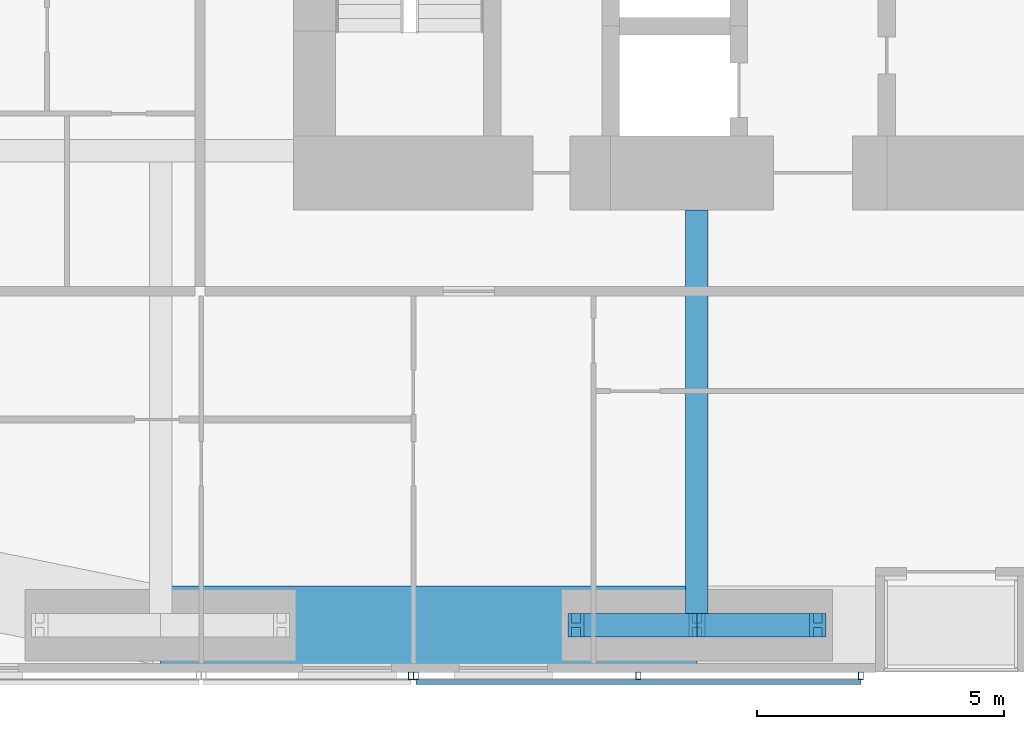
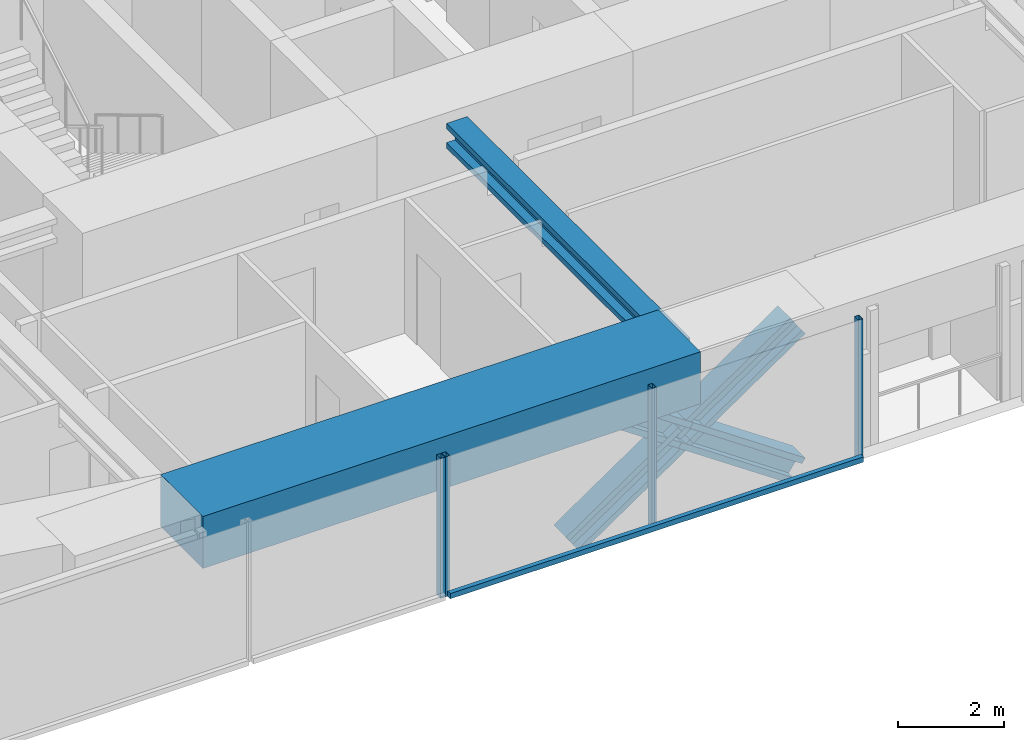
# One storey, part 4 of 24: 9 members, 2 beams, 2 elements without a shape of their own.
"""IFC4 building model written with IfcOpenShell, lengths in metres."""

from ifc_helpers import new_model, si_unit, direction, frame, origin, origin_2d, place, context, subcontext, project, spatial, rectangle, hollow_rectangle, i_section, extrude, material, material_profile, profile_set, type_object, element, aggregate, save


model = new_model("IFC4")

# Units and contexts
model_context = context("Model", 3, precision=1e-05, world=origin(), true_north=direction((0.0, 1.0)))
body_context = subcontext(model_context, "Body", "Model", "MODEL_VIEW")
ifc_project = project(units=[si_unit("LENGTHUNIT", "METRE"), si_unit("AREAUNIT", "SQUARE_METRE"), si_unit("VOLUMEUNIT", "CUBIC_METRE"), si_unit("PLANEANGLEUNIT", "RADIAN"), si_unit("MASSUNIT", "GRAM", prefix="KILO")], contexts=[model_context])

# Site, building, storey
site_placement = place(None, origin())
site = spatial("IfcSite", under=ifc_project, at=site_placement, CompositionType="ELEMENT")
building_placement = place(site_placement, origin())
building = spatial("IfcBuilding", under=site, at=building_placement, Name="Jalousie Tower", CompositionType="ELEMENT")
storey_placement = place(building_placement, frame((0.0, 0.0, 135.0)))
storey = spatial("IfcBuildingStorey", under=building, at=storey_placement, Name="L37", CompositionType="ELEMENT", Elevation=135.0)

# Beam
ifc_material_1 = material(Name="Steel ASTM A992 Grade 50", Category="steel")
ifc_material_profile_1 = material_profile(ifc_material_1, i_section(OverallWidth=0.45458984375, OverallDepth=0.569091796875, WebThickness=0.077880859375, FlangeThickness=0.124755859375, at=origin_2d()), Name="W14X730")
ifc_profile_set_1 = profile_set([ifc_material_profile_1], Name="Steel ASTM A992 Grade 50")
beam_type_1 = type_object("IfcBeamType", Name="LEAN COLLECTOR W14X730", PredefinedType="BEAM", material=ifc_profile_set_1)
beam_1_placement = place(storey_placement, frame((27.75, 0.949951171875, 2.825439453125), z_axis=(0.0, 1.0, 0.0), x_axis=(-1.0, 0.0, 0.0)))
element("IfcBeam", 1, at=beam_1_placement, inside=storey, type_object=beam_type_1, Name="Lean collector under L38", PredefinedType="BEAM", context=body_context, shape_type="SweptSolid", body=[
    extrude(i_section(OverallWidth=0.45458984375, OverallDepth=0.569091796875, WebThickness=0.077880859375, FlangeThickness=0.124755859375, at=origin_2d()), origin(), (0.0, 0.0, 1.0), 8.425048828125),
])

# Members
ifc_material_2 = material(Name="Steel ASTM A992 Grade 50", Category="steel")
ifc_material_profile_2 = material_profile(ifc_material_2, i_section(OverallWidth=0.472412109375, OverallDepth=0.5791015625, WebThickness=0.094970703125, FlangeThickness=0.1298828125, at=origin_2d()), Name="W14X808")
ifc_profile_set_2 = profile_set([ifc_material_profile_2], Name="Steel ASTM A992 Grade 50")
member_type_1 = type_object("IfcMemberType", Name="PERIMETER BRACE W14X808", PredefinedType="BRACE", material=ifc_profile_set_2)
for number, where, z_axis, x_axis, name in (
    (2, (25.300048828125, 0.949951171875, -0.60009765625), (0.825500916831, 0.0, 0.564400776321), (0.0, 1.0, 0.0), "Perimeter brace 03 L37 part 1"),
    (3, (27.75, 0.949951171875, 1.074951171875), (0.825500916831, 0.0, 0.564400776321), (0.0, 1.0, 0.0), "Perimeter brace 03 L37 part 2"),
    (4, (30.199951171875, 0.949951171875, -0.60009765625), (-0.825500916831, 0.0, 0.564400776321), (0.0, -1.0, 0.0), "Perimeter brace 03 L37 part 3"),
    (5, (27.75, 0.949951171875, 1.074951171875), (-0.825500916831, 0.0, 0.564400776321), (0.0, -1.0, 0.0), "Perimeter brace 03 L37 part 4"),
):
    element("IfcMember", number, at=place(storey_placement, frame(where, z_axis=z_axis, x_axis=x_axis)), inside=storey, type_object=member_type_1, Name=name, PredefinedType="BRACE", context=body_context, shape_type="SweptSolid", body=[
        extrude(i_section(OverallWidth=0.472412109375, OverallDepth=0.5791015625, WebThickness=0.094970703125, FlangeThickness=0.1298828125, at=origin_2d()), origin(), (0.0, 0.0, 1.0), 2.9677734375),
    ])

# Beam
ifc_material_3 = material(Name="Concrete f'c 40 MPa", Category="concrete")
ifc_material_profile_3 = material_profile(ifc_material_3, rectangle(XDim=1.60009765625, YDim=1.199951171875, at=origin_2d()), Name="RC 1600x1200")
ifc_profile_set_3 = profile_set([ifc_material_profile_3], Name="Concrete f'c 40 MPa")
beam_type_2 = type_object("IfcBeamType", Name="RC BEAM 1600x1200", PredefinedType="BEAM", material=ifc_profile_set_3)
beam_2_placement = place(storey_placement, frame((16.875, 0.949951171875, 2.75), z_axis=(1.0, 0.0, 0.0), x_axis=(0.0, 1.0, 0.0)))
element("IfcBeam", 6, at=beam_2_placement, inside=storey, type_object=beam_type_2, Name="Edge band beam 02-03 under L38", PredefinedType="BEAM", context=body_context, shape_type="SweptSolid", body=[
    extrude(rectangle(XDim=1.60009765625, YDim=1.199951171875, at=origin_2d()), origin(), (0.0, 0.0, 1.0), 10.875),
])

# Curtain wall, member
ifc_material_4 = material(Name="Perforated aluminium sheet", Category="aluminium")
curtain_wall_type = type_object("IfcCurtainWallType", Name="SOLAR SCREEN SS-1", PredefinedType="USERDEFINED", material=ifc_material_4)
curtain_wall_1_placement = place(storey_placement, origin())
curtain_wall_1 = element("IfcCurtainWall", 7, at=curtain_wall_1_placement, inside=storey, type_object=curtain_wall_type, Name="Solar screen L37", ObjectType="SOLAR SCREEN SS-1", PredefinedType="USERDEFINED")
ifc_material_5 = material(Name="Steel ASTM A500 Grade C", Category="steel")
ifc_material_profile_4 = material_profile(ifc_material_5, hollow_rectangle(XDim=0.1015625, YDim=0.15234375, WallThickness=0.00634765625, at=origin_2d()), Name="HSS6X4X1/4")
ifc_profile_set_4 = profile_set([ifc_material_profile_4], Name="Steel ASTM A500 Grade C")
member_type_2 = type_object("IfcMemberType", Name="SOLAR SCREEN SS-1 MULLION", PredefinedType="MULLION", material=ifc_profile_set_4)
member_1_placement = place(storey_placement, frame((21.949951171875, -0.0712890625, -0.1201171875), z_axis=(0.0, 0.0, 1.0), x_axis=(1.0, 0.0, 0.0)))
member_1 = element("IfcMember", 8, at=member_1_placement, type_object=member_type_2, Name="SS1 post 2", PredefinedType="MULLION", context=body_context, shape_type="SweptSolid", body=[
    extrude(hollow_rectangle(XDim=0.1015625, YDim=0.15234375, WallThickness=0.00634765625, at=origin_2d()), origin(), (0.0, 0.0, 1.0), 3.230224609375),
])
aggregate(curtain_wall_1, [member_1])

# Curtain wall, members
curtain_wall_2_placement = place(storey_placement, origin())
curtain_wall_2 = element("IfcCurtainWall", 9, at=curtain_wall_2_placement, inside=storey, type_object=curtain_wall_type, Name="Solar screen L37", ObjectType="SOLAR SCREEN SS-1", PredefinedType="USERDEFINED")
member_2_placement = place(storey_placement, frame((22.050048828125, -0.0712890625, -0.1201171875), z_axis=(0.0, 0.0, 1.0), x_axis=(1.0, 0.0, 0.0)))
member_2 = element("IfcMember", 10, at=member_2_placement, type_object=member_type_2, Name="SS1 post 1", PredefinedType="MULLION", context=body_context, shape_type="SweptSolid", body=[
    extrude(hollow_rectangle(XDim=0.1015625, YDim=0.15234375, WallThickness=0.00634765625, at=origin_2d()), origin(), (0.0, 0.0, 1.0), 3.230224609375),
])
member_3_placement = place(storey_placement, frame((26.5625, -0.0712890625, -0.1201171875), z_axis=(0.0, 0.0, 1.0), x_axis=(1.0, 0.0, 0.0)))
member_3 = element("IfcMember", 11, at=member_3_placement, type_object=member_type_2, Name="SS1 post 2", PredefinedType="MULLION", context=body_context, shape_type="SweptSolid", body=[
    extrude(hollow_rectangle(XDim=0.1015625, YDim=0.15234375, WallThickness=0.00634765625, at=origin_2d()), origin(), (0.0, 0.0, 1.0), 3.230224609375),
])
member_4_placement = place(storey_placement, frame((31.074951171875, -0.0712890625, -0.1201171875), z_axis=(0.0, 0.0, 1.0), x_axis=(1.0, 0.0, 0.0)))
member_4 = element("IfcMember", 12, at=member_4_placement, type_object=member_type_2, Name="SS1 post 3", PredefinedType="MULLION", context=body_context, shape_type="SweptSolid", body=[
    extrude(hollow_rectangle(XDim=0.1015625, YDim=0.15234375, WallThickness=0.00634765625, at=origin_2d()), origin(), (0.0, 0.0, 1.0), 3.230224609375),
])
ifc_material_6 = material(Name="Extruded aluminium screen rail", Category="aluminium")
ifc_material_profile_5 = material_profile(ifc_material_6, rectangle(XDim=0.1015625, YDim=0.1201171875, at=origin_2d()), Name="RAIL 102x120")
ifc_profile_set_5 = profile_set([ifc_material_profile_5], Name="Extruded aluminium screen rail")
member_type_3 = type_object("IfcMemberType", Name="SOLAR SCREEN SS-1 TRANSOM", PredefinedType="USERDEFINED", material=ifc_profile_set_5)
member_5_placement = place(storey_placement, frame((22.050048828125, -0.1982421875, -0.06005859375), z_axis=(1.0, 0.0, 0.0), x_axis=(0.0, 1.0, 0.0)))
member_5 = element("IfcMember", 13, at=member_5_placement, type_object=member_type_3, Name="SS1 rail", ObjectType="TRANSOM", PredefinedType="USERDEFINED", context=body_context, shape_type="SweptSolid", body=[
    extrude(rectangle(XDim=0.1015625, YDim=0.1201171875, at=origin_2d()), origin(), (0.0, 0.0, 1.0), 9.02490234375),
])
aggregate(curtain_wall_2, [member_2, member_3, member_4, member_5])

save(model, "model.ifc")
